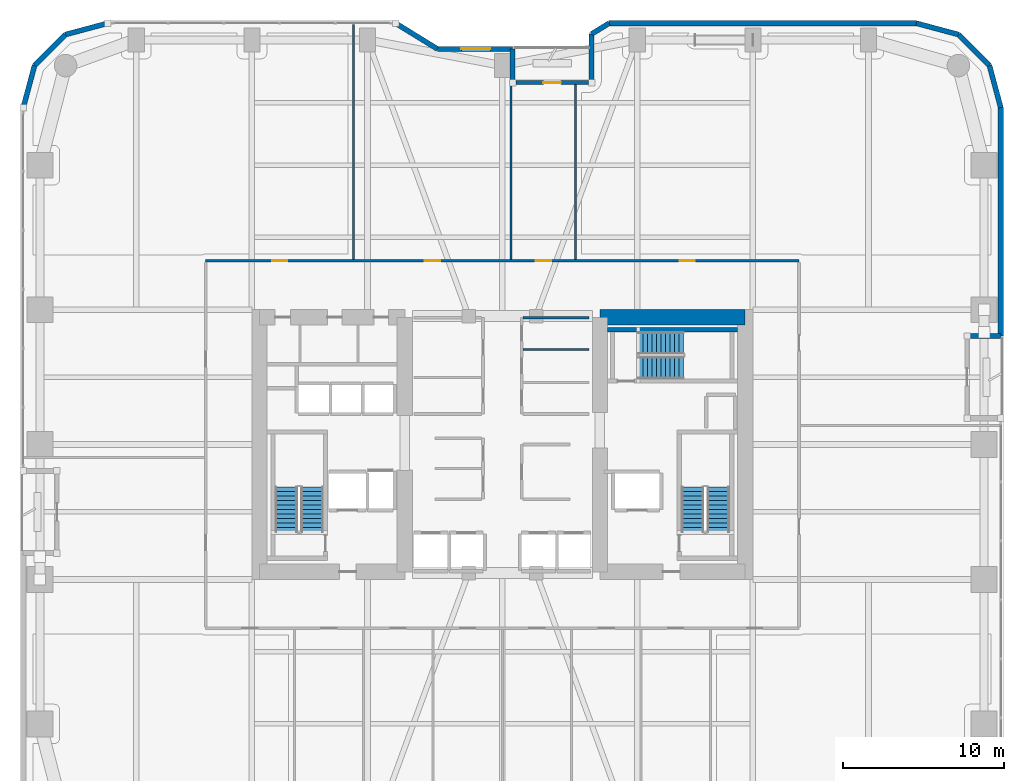
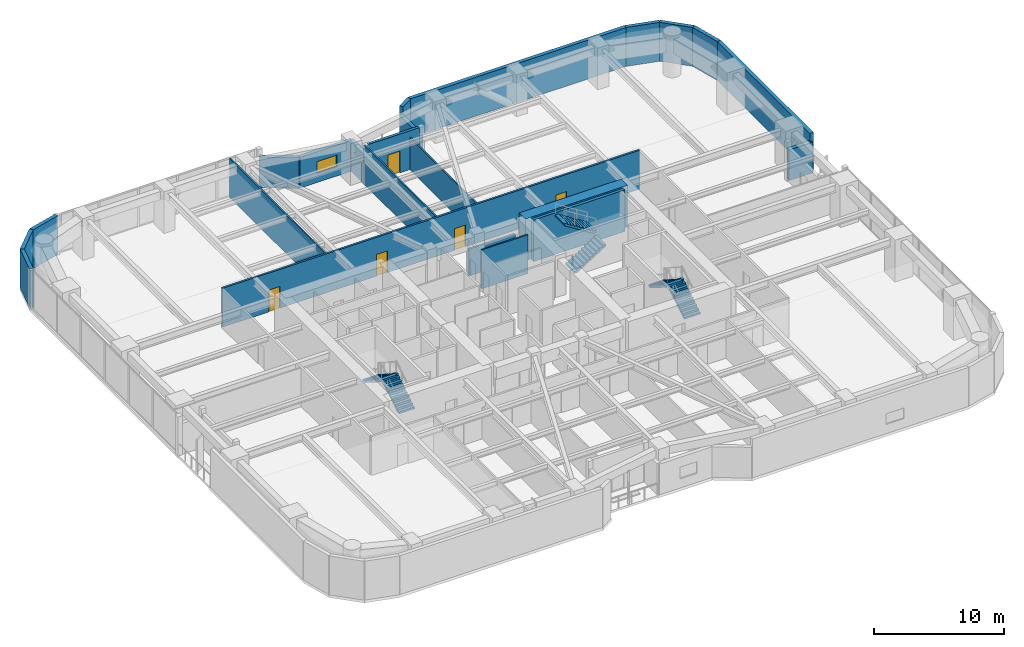
# One storey, part 25 of 28: 23 walls, 6 stair flights, 5 doors, 1 window, 6 openings, 3 elements without a shape of their own.
"""IFC4 building model written with IfcOpenShell, lengths in metres."""

from ifc_helpers import new_model, si_unit, direction, frame, frame_2d, origin, place, context, subcontext, project, spatial, polyline, rectangle, outline, extrude, material, layer, layer_set, type_object, element, fill, aggregate, save


model = new_model("IFC4")

# Units and contexts
model_context = context("Model", 3, precision=1e-05, world=origin(), true_north=direction((0.0, 1.0)))
body_context = subcontext(model_context, "Body", "Model", "MODEL_VIEW")
ifc_project = project(units=[si_unit("LENGTHUNIT", "METRE"), si_unit("AREAUNIT", "SQUARE_METRE"), si_unit("VOLUMEUNIT", "CUBIC_METRE"), si_unit("PLANEANGLEUNIT", "RADIAN"), si_unit("MASSUNIT", "GRAM", prefix="KILO")], contexts=[model_context])

# Site, building, storey
site_placement = place(None, origin())
site = spatial("IfcSite", under=ifc_project, at=site_placement, CompositionType="ELEMENT")
building_placement = place(site_placement, origin())
building = spatial("IfcBuilding", under=site, at=building_placement, Name="Kiyonajd Concourse Tower", CompositionType="ELEMENT")
storey_placement = place(building_placement, frame((0.0, 0.0, 64.5)))
storey = spatial("IfcBuildingStorey", under=building, at=storey_placement, Name="L17", CompositionType="ELEMENT", Elevation=64.5)

# Walls
ifc_material_1 = material(Name="Concrete C80/95", Category="concrete")
ifc_layer_1 = layer(ifc_material_1, 0.949951171875)
ifc_layer_set_1 = layer_set([ifc_layer_1], Name="Concrete C80/95")
wall_type_1 = type_object("IfcWallType", Name="WL-CORE-950", PredefinedType="SHEAR", material=ifc_layer_set_1)
wall_1_placement = place(storey_placement, frame((54.074951171875, 43.925048828125, 0.0), z_axis=(0.0, 0.0, 1.0), x_axis=(1.0, 0.0, 0.0)))
element("IfcWall", 1, at=wall_1_placement, inside=storey, type_object=wall_type_1, Name="L17 East Core North Shear Wall", PredefinedType="SHEAR", context=body_context, shape_type="SweptSolid", body=[
    extrude(rectangle(XDim=9.050048828125, YDim=0.949951171875, at=frame_2d((4.52490234375, 0.0))), origin(), (0.0, 0.0, 1.0), 3.89990234375),
])
ifc_material_2 = material(Name="Precast concrete C50/60", Category="concrete")
ifc_layer_2 = layer(ifc_material_2, 0.320068359375)
ifc_layer_set_2 = layer_set([ifc_layer_2], Name="Precast concrete C50/60")
wall_type_2 = type_object("IfcWallType", Name="WL-EXT-320", PredefinedType="SOLIDWALL", material=ifc_layer_set_2)
wall_2_placement = place(storey_placement, frame((18.159912109375, 56.97900390625, 0.0), z_axis=(0.0, 0.0, 1.0), x_axis=(0.25869736047, 0.965958423373, 0.0)))
element("IfcWall", 2, at=wall_2_placement, inside=storey, type_object=wall_type_2, Name="L17 Exterior Concrete Frame Wall 06", PredefinedType="SOLIDWALL", context=body_context, shape_type="SweptSolid", body=[
    extrude(rectangle(XDim=2.731201171875, YDim=0.320068359375, at=frame_2d((1.36572265625, 0.0))), origin(), (0.0, 0.0, 1.0), 3.639892578125),
])
wall_3_placement = place(storey_placement, frame((18.866455078125, 59.6171875, 0.0), z_axis=(0.0, 0.0, 1.0), x_axis=(0.707106781187, 0.707106781187, 0.0)))
element("IfcWall", 3, at=wall_3_placement, inside=storey, type_object=wall_type_2, Name="L17 Exterior Concrete Frame Wall 07", PredefinedType="SOLIDWALL", context=body_context, shape_type="SweptSolid", body=[
    extrude(rectangle(XDim=2.7099609375, YDim=0.320068359375, at=frame_2d((1.35498046875, 0.0))), origin(), (0.0, 0.0, 1.0), 3.639892578125),
])
wall_4_placement = place(storey_placement, frame((20.78271484375, 61.533447265625, 0.0), z_axis=(0.0, 0.0, 1.0), x_axis=(0.965964405026, 0.25867502435, 0.0)))
element("IfcWall", 4, at=wall_4_placement, inside=storey, type_object=wall_type_2, Name="L17 Exterior Concrete Frame Wall 08", PredefinedType="SOLIDWALL", context=body_context, shape_type="SweptSolid", body=[
    extrude(rectangle(XDim=2.7314453125, YDim=0.320068359375, at=frame_2d((1.36572265625, 0.0))), origin(), (0.0, 0.0, 1.0), 3.639892578125),
])
wall_5_placement = place(storey_placement, frame((41.354736328125, 62.239990234375, 0.0), z_axis=(0.0, 0.0, 1.0), x_axis=(0.851630857047, -0.524142044989, 0.0)))
element("IfcWall", 5, at=wall_5_placement, inside=storey, type_object=wall_type_2, Name="L17 Exterior Concrete Frame Wall 10", PredefinedType="SOLIDWALL", context=body_context, shape_type="SweptSolid", body=[
    extrude(rectangle(XDim=3.052734375, YDim=0.320068359375, at=frame_2d((1.5263671875, 0.0))), origin(), (0.0, 0.0, 1.0), 2.875),
])

# Wall, opening, window
wall_6_placement = place(storey_placement, frame((43.95458984375, 60.639892578125, 0.0), z_axis=(0.0, 0.0, 1.0), x_axis=(1.0, 0.0, 0.0)))
wall_6 = element("IfcWall", 6, at=wall_6_placement, inside=storey, type_object=wall_type_2, Name="L17 Exterior Concrete Frame Wall 11", PredefinedType="SOLIDWALL", context=body_context, shape_type="SweptSolid", body=[
    extrude(rectangle(XDim=4.685302734375, YDim=0.320068359375, at=frame_2d((2.3427734375, 0.0))), origin(), (0.0, 0.0, 1.0), 2.875),
])
opening_1_placement = place(wall_6_placement, frame((1.492919921875, 0.0, 0.85009765625)))
opening_1 = element("IfcOpeningElement", 7, at=opening_1_placement, cuts=wall_6, Name="Opening WN1", PredefinedType="OPENING", context=body_context, shape_type="SweptSolid", body=[
    extrude(rectangle(XDim=1.800048828125, YDim=1.10009765625, at=frame_2d((0.89990234375, 0.550048828125))), frame((0.0, 0.169921875, 0.0), z_axis=(0.0, -1.0, 0.0), x_axis=(1.0, 0.0, 0.0)), (0.0, 0.0, 1.0), 0.340087890625),
])
ifc_material_3 = material(Name="Double Low-E Insulated Glass", Category="glass")
window_type = type_object("IfcWindowType", Name="WN-VIS-1800x1100", PartitioningType="SINGLE_PANEL", PredefinedType="WINDOW", material=ifc_material_3)
window_placement = place(opening_1_placement, origin())
window = element("IfcWindow", 8, at=window_placement, inside=storey, type_object=window_type, Name="L17 Modular Facade Vision Window 11", OverallHeight=1.10009765625, OverallWidth=1.800048828125, PartitioningType="SINGLE_PANEL", PredefinedType="WINDOW", context=body_context, shape_type="SweptSolid", body=[
    extrude(rectangle(XDim=1.800048828125, YDim=1.10009765625, at=frame_2d((0.89990234375, 0.550048828125))), frame((0.0, 0.030029296875, 0.0), z_axis=(0.0, -1.0, 0.0), x_axis=(1.0, 0.0, 0.0)), (0.0, 0.0, 1.0), 0.06005859375),
])
fill(opening_1, window)

# Walls
wall_7_placement = place(storey_placement, frame((48.639892578125, 60.639892578125, 0.0), z_axis=(0.0, 0.0, 1.0), x_axis=(0.0, -1.0, 0.0)))
element("IfcWall", 9, at=wall_7_placement, inside=storey, type_object=wall_type_2, Name="L17 Exterior Concrete Frame Wall 12", PredefinedType="SOLIDWALL", context=body_context, shape_type="SweptSolid", body=[
    extrude(rectangle(XDim=2.099853515625, YDim=0.320068359375, at=frame_2d((1.0498046875, 0.0))), origin(), (0.0, 0.0, 1.0), 2.875),
])
wall_8_placement = place(storey_placement, frame((53.56005859375, 58.5400390625, 0.0), z_axis=(0.0, 0.0, 1.0), x_axis=(0.0, 1.0, 0.0)))
element("IfcWall", 10, at=wall_8_placement, inside=storey, type_object=wall_type_2, Name="L17 Exterior Concrete Frame Wall 14", PredefinedType="SOLIDWALL", context=body_context, shape_type="SweptSolid", body=[
    extrude(rectangle(XDim=3.032470703125, YDim=0.320068359375, at=frame_2d((1.51611328125, 0.0))), origin(), (0.0, 0.0, 1.0), 2.875),
])
wall_9_placement = place(storey_placement, frame((53.56005859375, 61.572509765625, 0.0), z_axis=(0.0, 0.0, 1.0), x_axis=(0.851776724646, 0.523904964045, 0.0)))
element("IfcWall", 11, at=wall_9_placement, inside=storey, type_object=wall_type_2, Name="L17 Exterior Concrete Frame Wall 15", PredefinedType="SOLIDWALL", context=body_context, shape_type="SweptSolid", body=[
    extrude(rectangle(XDim=1.274169921875, YDim=0.320068359375, at=frame_2d((0.63720703125, 0.0))), origin(), (0.0, 0.0, 1.0), 3.639892578125),
])
wall_10_placement = place(storey_placement, frame((54.645263671875, 62.239990234375, 0.0), z_axis=(0.0, 0.0, 1.0), x_axis=(1.0, 0.0, 0.0)))
element("IfcWall", 12, at=wall_10_placement, inside=storey, type_object=wall_type_2, Name="L17 Exterior Concrete Frame Wall 16", PredefinedType="SOLIDWALL", context=body_context, shape_type="SweptSolid", body=[
    extrude(rectangle(XDim=19.133544921875, YDim=0.320068359375, at=frame_2d((9.56689453125, 0.0))), origin(), (0.0, 0.0, 1.0), 3.639892578125),
])
wall_11_placement = place(storey_placement, frame((73.77880859375, 62.239990234375, 0.0), z_axis=(0.0, 0.0, 1.0), x_axis=(0.965964405026, -0.25867502435, 0.0)))
element("IfcWall", 13, at=wall_11_placement, inside=storey, type_object=wall_type_2, Name="L17 Exterior Concrete Frame Wall 17", PredefinedType="SOLIDWALL", context=body_context, shape_type="SweptSolid", body=[
    extrude(rectangle(XDim=2.7314453125, YDim=0.320068359375, at=frame_2d((1.36572265625, 0.0))), origin(), (0.0, 0.0, 1.0), 3.639892578125),
])
wall_12_placement = place(storey_placement, frame((76.417236328125, 61.533447265625, 0.0), z_axis=(0.0, 0.0, 1.0), x_axis=(0.707106781187, -0.707106781187, 0.0)))
element("IfcWall", 14, at=wall_12_placement, inside=storey, type_object=wall_type_2, Name="L17 Exterior Concrete Frame Wall 18", PredefinedType="SOLIDWALL", context=body_context, shape_type="SweptSolid", body=[
    extrude(rectangle(XDim=2.7099609375, YDim=0.320068359375, at=frame_2d((1.35498046875, 0.0))), origin(), (0.0, 0.0, 1.0), 3.639892578125),
])
wall_13_placement = place(storey_placement, frame((78.33349609375, 59.6171875, 0.0), z_axis=(0.0, 0.0, 1.0), x_axis=(0.25869736047, -0.965958423373, 0.0)))
element("IfcWall", 15, at=wall_13_placement, inside=storey, type_object=wall_type_2, Name="L17 Exterior Concrete Frame Wall 19", PredefinedType="SOLIDWALL", context=body_context, shape_type="SweptSolid", body=[
    extrude(rectangle(XDim=2.731201171875, YDim=0.320068359375, at=frame_2d((1.36572265625, 0.0))), origin(), (0.0, 0.0, 1.0), 3.639892578125),
])
wall_14_placement = place(storey_placement, frame((79.0400390625, 56.97900390625, 0.0), z_axis=(0.0, 0.0, 1.0), x_axis=(0.0, -1.0, 0.0)))
element("IfcWall", 16, at=wall_14_placement, inside=storey, type_object=wall_type_2, Name="L17 Exterior Concrete Frame Wall 20", PredefinedType="SOLIDWALL", context=body_context, shape_type="SweptSolid", body=[
    extrude(rectangle(XDim=14.218994140625, YDim=0.320068359375, at=frame_2d((7.109375, 0.0))), origin(), (0.0, 0.0, 1.0), 3.639892578125),
])
wall_15_placement = place(storey_placement, frame((79.0400390625, 42.760009765625, 0.0), z_axis=(0.0, 0.0, 1.0), x_axis=(-1.0, 0.0, 0.0)))
element("IfcWall", 17, at=wall_15_placement, inside=storey, type_object=wall_type_2, Name="L17 Exterior Concrete Frame Wall 21", PredefinedType="SOLIDWALL", context=body_context, shape_type="SweptSolid", body=[
    extrude(rectangle(XDim=2.10009765625, YDim=0.320068359375, at=frame_2d((1.050048828125, 0.0))), origin(), (0.0, 0.0, 1.0), 2.875),
])

# Wall, opening, door
ifc_layer_3 = layer(ifc_material_2, 0.239990234375)
ifc_layer_set_3 = layer_set([ifc_layer_3], Name="Precast concrete C50/60")
wall_type_3 = type_object("IfcWallType", Name="WL-LOG-240", PredefinedType="SOLIDWALL", material=ifc_layer_set_3)
wall_16_placement = place(storey_placement, frame((48.8349609375, 58.5400390625, 0.0), z_axis=(0.0, 0.0, 1.0), x_axis=(1.0, 0.0, 0.0)))
wall_16 = element("IfcWall", 18, at=wall_16_placement, inside=storey, type_object=wall_type_3, Name="L17 Recessed Loggia Thermal Wall LOG-N", PredefinedType="SOLIDWALL", context=body_context, shape_type="SweptSolid", body=[
    extrude(rectangle(XDim=4.530029296875, YDim=0.239990234375, at=frame_2d((2.26513671875, 0.0))), origin(), (0.0, 0.0, 1.0), 3.639892578125),
])
opening_2_placement = place(wall_16_placement, frame((1.715087890625, 0.0, 0.0)))
opening_2 = element("IfcOpeningElement", 19, at=opening_2_placement, cuts=wall_16, Name="Opening DL2", PredefinedType="OPENING", context=body_context, shape_type="SweptSolid", body=[
    extrude(rectangle(XDim=1.10009765625, YDim=2.0400390625, at=frame_2d((0.550048828125, 1.02001953125))), frame((0.0, 0.1298828125, 0.0), z_axis=(0.0, -1.0, 0.0), x_axis=(1.0, 0.0, 0.0)), (0.0, 0.0, 1.0), 0.260009765625),
])
ifc_material_4 = material(Name="Thermally Broken Anodised Aluminium", Category="aluminium")
door_type_1 = type_object("IfcDoorType", Name="DR-LOG-1100", OperationType="NOTDEFINED", PredefinedType="DOOR", material=ifc_material_4)
door_1_placement = place(opening_2_placement, origin())
door_1 = element("IfcDoor", 20, at=door_1_placement, inside=storey, type_object=door_type_1, Name="L17 Engawa Loggia Access Door LOG-N", OperationType="SINGLE_SWING_RIGHT", OverallHeight=2.0400390625, OverallWidth=1.10009765625, PredefinedType="DOOR", context=body_context, shape_type="SweptSolid", body=[
    extrude(rectangle(XDim=1.10009765625, YDim=2.0400390625, at=frame_2d((0.550048828125, 1.02001953125))), frame((0.0, 0.02490234375, 0.0), z_axis=(0.0, -1.0, 0.0), x_axis=(1.0, 0.0, 0.0)), (0.0, 0.0, 1.0), 0.050048828125),
])
fill(opening_2, door_1)

# Walls
ifc_material_5 = material(Name="Gypsum Board on Cold-Formed Steel Stud", Category="steel")
ifc_layer_4 = layer(ifc_material_5, 0.125)
ifc_layer_set_4 = layer_set([ifc_layer_4], Name="Gypsum Board on Cold-Formed Steel Stud")
wall_type_4 = type_object("IfcWallType", Name="WL-PART-125", PredefinedType="PARTITIONING", material=ifc_layer_set_4)
wall_17_placement = place(storey_placement, frame((49.287109375, 41.919921875, 0.0), z_axis=(0.0, 0.0, 1.0), x_axis=(1.0, 0.0, 0.0)))
element("IfcWall", 21, at=wall_17_placement, inside=storey, type_object=wall_type_4, Name="L17 Interior Partition Wall", PredefinedType="PARTITIONING", context=body_context, shape_type="SweptSolid", body=[
    extrude(rectangle(XDim=4.11279296875, YDim=0.125, at=frame_2d((2.056396484375, 0.0))), origin(), (0.0, 0.0, 1.0), 3.639892578125),
])
wall_18_placement = place(storey_placement, frame((38.739990234375, 47.527099609375, 0.0), z_axis=(0.0, 0.0, 1.0), x_axis=(0.0, 1.0, 0.0)))
element("IfcWall", 22, at=wall_18_placement, inside=storey, type_object=wall_type_4, Name="L17 Interior Partition Wall", PredefinedType="PARTITIONING", context=body_context, shape_type="SweptSolid", body=[
    extrude(rectangle(XDim=14.6279296875, YDim=0.125, at=frame_2d((7.31396484375, 0.0))), origin(), (0.0, 0.0, 1.0), 3.639892578125),
])
wall_19_placement = place(storey_placement, frame((48.550048828125, 47.527099609375, 0.0), z_axis=(0.0, 0.0, 1.0), x_axis=(0.0, 1.0, 0.0)))
element("IfcWall", 23, at=wall_19_placement, inside=storey, type_object=wall_type_4, Name="L17 Interior Partition Wall", PredefinedType="PARTITIONING", context=body_context, shape_type="SweptSolid", body=[
    extrude(rectangle(XDim=11.012939453125, YDim=0.125, at=frame_2d((5.50634765625, 0.0))), origin(), (0.0, 0.0, 1.0), 3.639892578125),
])
wall_20_placement = place(storey_placement, frame((52.56005859375, 47.527099609375, 0.0), z_axis=(0.0, 0.0, 1.0), x_axis=(0.0, 1.0, 0.0)))
element("IfcWall", 24, at=wall_20_placement, inside=storey, type_object=wall_type_4, Name="L17 Interior Partition Wall", PredefinedType="PARTITIONING", context=body_context, shape_type="SweptSolid", body=[
    extrude(rectangle(XDim=10.89794921875, YDim=0.125, at=frame_2d((5.448974609375, 0.0))), origin(), (0.0, 0.0, 1.0), 3.0029296875),
])
ifc_layer_5 = layer(ifc_material_5, 0.169921875)
ifc_layer_set_5 = layer_set([ifc_layer_5], Name="Gypsum Board on Cold-Formed Steel Stud")
wall_type_5 = type_object("IfcWallType", Name="WL-SMK-170", PredefinedType="PARTITIONING", material=ifc_layer_set_5)
wall_21_placement = place(storey_placement, frame((49.287109375, 43.89990234375, 0.0), z_axis=(0.0, 0.0, 1.0), x_axis=(1.0, 0.0, 0.0)))
element("IfcWall", 25, at=wall_21_placement, inside=storey, type_object=wall_type_5, Name="L17 Interior Partition Wall", PredefinedType="PARTITIONING", context=body_context, shape_type="SweptSolid", body=[
    extrude(rectangle(XDim=4.11279296875, YDim=0.169921875, at=frame_2d((2.056396484375, 0.0))), origin(), (0.0, 0.0, 1.0), 2.52490234375),
])

# Wall, openings, doors
wall_22_placement = place(storey_placement, frame((29.52490234375, 47.43994140625, 0.0), z_axis=(0.0, 0.0, 1.0), x_axis=(1.0, 0.0, 0.0)))
wall_22 = element("IfcWall", 26, at=wall_22_placement, inside=storey, type_object=wall_type_5, Name="L17 Interior Partition Wall", PredefinedType="PARTITIONING", context=body_context, shape_type="SweptSolid", body=[
    extrude(rectangle(XDim=36.9501953125, YDim=0.169921875, at=frame_2d((18.47509765625, 0.0))), origin(), (0.0, 0.0, 1.0), 3.639892578125),
])
opening_3_placement = place(wall_22_placement, frame((4.133056640625, 0.0, 0.0)))
opening_3 = element("IfcOpeningElement", 27, at=opening_3_placement, cuts=wall_22, Name="Opening DI1", PredefinedType="OPENING", context=body_context, shape_type="SweptSolid", body=[
    extrude(rectangle(XDim=0.949951171875, YDim=2.0400390625, at=frame_2d((0.47509765625, 1.02001953125))), frame((0.0, 0.094970703125, 0.0), z_axis=(0.0, -1.0, 0.0), x_axis=(1.0, 0.0, 0.0)), (0.0, 0.0, 1.0), 0.18994140625),
])
opening_4_placement = place(wall_22_placement, frame((13.64501953125, 0.0, 0.0)))
opening_4 = element("IfcOpeningElement", 28, at=opening_4_placement, cuts=wall_22, Name="Opening DI1", PredefinedType="OPENING", context=body_context, shape_type="SweptSolid", body=[
    extrude(rectangle(XDim=0.949951171875, YDim=2.0400390625, at=frame_2d((0.47509765625, 1.02001953125))), frame((0.0, 0.094970703125, 0.0), z_axis=(0.0, -1.0, 0.0), x_axis=(1.0, 0.0, 0.0)), (0.0, 0.0, 1.0), 0.18994140625),
])
opening_5_placement = place(wall_22_placement, frame((20.554931640625, 0.0, 0.0)))
opening_5 = element("IfcOpeningElement", 29, at=opening_5_placement, cuts=wall_22, Name="Opening DI1", PredefinedType="OPENING", context=body_context, shape_type="SweptSolid", body=[
    extrude(rectangle(XDim=0.949951171875, YDim=2.0400390625, at=frame_2d((0.47509765625, 1.02001953125))), frame((0.0, 0.094970703125, 0.0), z_axis=(0.0, -1.0, 0.0), x_axis=(1.0, 0.0, 0.0)), (0.0, 0.0, 1.0), 0.18994140625),
])
opening_6_placement = place(wall_22_placement, frame((29.51708984375, 0.0, 0.0)))
opening_6 = element("IfcOpeningElement", 30, at=opening_6_placement, cuts=wall_22, Name="Opening DI1", PredefinedType="OPENING", context=body_context, shape_type="SweptSolid", body=[
    extrude(rectangle(XDim=0.949951171875, YDim=2.0400390625, at=frame_2d((0.47509765625, 1.02001953125))), frame((0.0, 0.094970703125, 0.0), z_axis=(0.0, -1.0, 0.0), x_axis=(1.0, 0.0, 0.0)), (0.0, 0.0, 1.0), 0.18994140625),
])
ifc_material_6 = material(Name="Natural Oak Acoustic Timber Veneer", Category="wood")
door_type_2 = type_object("IfcDoorType", Name="DR-INT-950", OperationType="NOTDEFINED", PredefinedType="DOOR", material=ifc_material_6)
door_2_placement = place(opening_3_placement, origin())
door_2 = element("IfcDoor", 31, at=door_2_placement, inside=storey, type_object=door_type_2, Name="L17 Interior Door", OperationType="SINGLE_SWING_LEFT", OverallHeight=2.0400390625, OverallWidth=0.949951171875, PredefinedType="DOOR", context=body_context, shape_type="SweptSolid", body=[
    extrude(rectangle(XDim=0.949951171875, YDim=2.0400390625, at=frame_2d((0.47509765625, 1.02001953125))), frame((0.0, 0.02490234375, 0.0), z_axis=(0.0, -1.0, 0.0), x_axis=(1.0, 0.0, 0.0)), (0.0, 0.0, 1.0), 0.050048828125),
])
fill(opening_3, door_2)
door_3_placement = place(opening_4_placement, origin())
door_3 = element("IfcDoor", 32, at=door_3_placement, inside=storey, type_object=door_type_2, Name="L17 Interior Door", OperationType="SINGLE_SWING_RIGHT", OverallHeight=2.0400390625, OverallWidth=0.949951171875, PredefinedType="DOOR", context=body_context, shape_type="SweptSolid", body=[
    extrude(rectangle(XDim=0.949951171875, YDim=2.0400390625, at=frame_2d((0.47509765625, 1.02001953125))), frame((0.0, 0.02490234375, 0.0), z_axis=(0.0, -1.0, 0.0), x_axis=(1.0, 0.0, 0.0)), (0.0, 0.0, 1.0), 0.050048828125),
])
fill(opening_4, door_3)
door_4_placement = place(opening_5_placement, origin())
door_4 = element("IfcDoor", 33, at=door_4_placement, inside=storey, type_object=door_type_2, Name="L17 Interior Door", OperationType="SINGLE_SWING_LEFT", OverallHeight=2.0400390625, OverallWidth=0.949951171875, PredefinedType="DOOR", context=body_context, shape_type="SweptSolid", body=[
    extrude(rectangle(XDim=0.949951171875, YDim=2.0400390625, at=frame_2d((0.47509765625, 1.02001953125))), frame((0.0, 0.02490234375, 0.0), z_axis=(0.0, -1.0, 0.0), x_axis=(1.0, 0.0, 0.0)), (0.0, 0.0, 1.0), 0.050048828125),
])
fill(opening_5, door_4)
door_5_placement = place(opening_6_placement, origin())
door_5 = element("IfcDoor", 34, at=door_5_placement, inside=storey, type_object=door_type_2, Name="L17 Interior Door", OperationType="SINGLE_SWING_RIGHT", OverallHeight=2.0400390625, OverallWidth=0.949951171875, PredefinedType="DOOR", context=body_context, shape_type="SweptSolid", body=[
    extrude(rectangle(XDim=0.949951171875, YDim=2.0400390625, at=frame_2d((0.47509765625, 1.02001953125))), frame((0.0, 0.02490234375, 0.0), z_axis=(0.0, -1.0, 0.0), x_axis=(1.0, 0.0, 0.0)), (0.0, 0.0, 1.0), 0.050048828125),
])
fill(opening_6, door_5)

# Wall
ifc_material_7 = material(Name="Concrete C50/60", Category="concrete")
ifc_layer_6 = layer(ifc_material_7, 0.260009765625)
ifc_layer_set_6 = layer_set([ifc_layer_6], Name="Concrete C50/60")
wall_type_6 = type_object("IfcWallType", Name="WL-STAIR-260", PredefinedType="SHEAR", material=ifc_layer_set_6)
wall_23_placement = place(storey_placement, frame((54.550048828125, 43.14990234375, 0.0), z_axis=(0.0, 0.0, 1.0), x_axis=(1.0, 0.0, 0.0)))
element("IfcWall", 35, at=wall_23_placement, inside=storey, type_object=wall_type_6, Name="L17 Stair ST3 Structural North Wall", PredefinedType="SHEAR", context=body_context, shape_type="SweptSolid", body=[
    extrude(rectangle(XDim=8.099853515625, YDim=0.260009765625, at=frame_2d((4.0498046875, 0.0))), origin(), (0.0, 0.0, 1.0), 3.89990234375),
])

# Stair, stair flights
ifc_material_8 = material(Name="Concrete C40/50", Category="concrete")
stair_type = type_object("IfcStairType", Name="ST-DLG-22R", PredefinedType="HALF_TURN_STAIR", material=ifc_material_8)
stair_1_placement = place(storey_placement, origin())
stair_1 = element("IfcStair", 36, at=stair_1_placement, inside=storey, type_object=stair_type, Name="L17 Protected Exit Stair ST1", PredefinedType="HALF_TURN_STAIR")
stair_flight_type = type_object("IfcStairFlightType", Name="SF-STR-22R", PredefinedType="STRAIGHT", material=ifc_material_8)
stair_flight_1_placement = place(storey_placement, frame((36.14990234375, 30.550048828125, 0.0), z_axis=(0.0, 0.0, 1.0), x_axis=(0.0, 1.0, 0.0)))
stair_flight_1 = element("IfcStairFlight", 37, at=stair_flight_1_placement, type_object=stair_flight_type, Name="ST1 flight 1", NumberOfRisers=11, NumberOfTreads=10, PredefinedType="STRAIGHT", RiserHeight=0.177272727, TreadLength=0.28, context=body_context, shape_type="SweptSolid", body=[
    extrude(outline(polyline([(0.0, 0.0), (0.0, 0.17724609375), (0.280029296875, 0.17724609375), (0.280029296875, 0.3544921875), (0.56005859375, 0.3544921875), (0.56005859375, 0.53173828125), (0.840087890625, 0.53173828125), (0.840087890625, 0.708984375), (1.1201171875, 0.708984375), (1.1201171875, 0.886474609375), (1.39990234375, 0.886474609375), (1.39990234375, 1.063720703125), (1.679931640625, 1.063720703125), (1.679931640625, 1.240966796875), (1.9599609375, 1.240966796875), (1.9599609375, 1.418212890625), (2.239990234375, 1.418212890625), (2.239990234375, 1.595458984375), (2.52001953125, 1.595458984375), (2.52001953125, 1.772705078125), (2.800048828125, 1.772705078125), (2.800048828125, 1.949951171875), (2.800048828125, 1.59521484375), (0.2802734375, 0.0), (0.0, 0.0)])), frame((0.0, 0.699951171875, 0.0), z_axis=(0.0, -1.0, 0.0), x_axis=(1.0, 0.0, 0.0)), (0.0, 0.0, 1.0), 1.39990234375),
])
stair_flight_2_placement = place(storey_placement, frame((34.550048828125, 33.35009765625, 1.949951171875), z_axis=(0.0, 0.0, 1.0), x_axis=(0.0, -1.0, 0.0)))
stair_flight_2 = element("IfcStairFlight", 38, at=stair_flight_2_placement, type_object=stair_flight_type, Name="ST1 flight 2", NumberOfRisers=11, NumberOfTreads=10, PredefinedType="STRAIGHT", RiserHeight=0.177272727, TreadLength=0.28, context=body_context, shape_type="SweptSolid", body=[
    extrude(outline(polyline([(0.0, 0.0), (0.0, 0.17724609375), (0.280029296875, 0.17724609375), (0.280029296875, 0.3544921875), (0.56005859375, 0.3544921875), (0.56005859375, 0.53173828125), (0.840087890625, 0.53173828125), (0.840087890625, 0.708984375), (1.1201171875, 0.708984375), (1.1201171875, 0.886474609375), (1.39990234375, 0.886474609375), (1.39990234375, 1.063720703125), (1.679931640625, 1.063720703125), (1.679931640625, 1.240966796875), (1.9599609375, 1.240966796875), (1.9599609375, 1.418212890625), (2.239990234375, 1.418212890625), (2.239990234375, 1.595458984375), (2.52001953125, 1.595458984375), (2.52001953125, 1.772705078125), (2.800048828125, 1.772705078125), (2.800048828125, 1.949951171875), (2.800048828125, 1.59521484375), (0.2802734375, 0.0), (0.0, 0.0)])), frame((0.0, 0.699951171875, 0.0), z_axis=(0.0, -1.0, 0.0), x_axis=(1.0, 0.0, 0.0)), (0.0, 0.0, 1.0), 1.39990234375),
])
aggregate(stair_1, [stair_flight_1, stair_flight_2])

stair_2_placement = place(storey_placement, origin())
stair_2 = element("IfcStair", 39, at=stair_2_placement, inside=storey, type_object=stair_type, Name="L17 Protected Exit Stair ST2", PredefinedType="HALF_TURN_STAIR")
stair_flight_3_placement = place(storey_placement, frame((61.449951171875, 30.550048828125, 0.0), z_axis=(0.0, 0.0, 1.0), x_axis=(0.0, 1.0, 0.0)))
stair_flight_3 = element("IfcStairFlight", 40, at=stair_flight_3_placement, type_object=stair_flight_type, Name="ST2 flight 1", NumberOfRisers=11, NumberOfTreads=10, PredefinedType="STRAIGHT", RiserHeight=0.177272727, TreadLength=0.28, context=body_context, shape_type="SweptSolid", body=[
    extrude(outline(polyline([(0.0, 0.0), (0.0, 0.17724609375), (0.280029296875, 0.17724609375), (0.280029296875, 0.3544921875), (0.56005859375, 0.3544921875), (0.56005859375, 0.53173828125), (0.840087890625, 0.53173828125), (0.840087890625, 0.708984375), (1.1201171875, 0.708984375), (1.1201171875, 0.886474609375), (1.39990234375, 0.886474609375), (1.39990234375, 1.063720703125), (1.679931640625, 1.063720703125), (1.679931640625, 1.240966796875), (1.9599609375, 1.240966796875), (1.9599609375, 1.418212890625), (2.239990234375, 1.418212890625), (2.239990234375, 1.595458984375), (2.52001953125, 1.595458984375), (2.52001953125, 1.772705078125), (2.800048828125, 1.772705078125), (2.800048828125, 1.949951171875), (2.800048828125, 1.59521484375), (0.2802734375, 0.0), (0.0, 0.0)])), frame((0.0, 0.699951171875, 0.0), z_axis=(0.0, -1.0, 0.0), x_axis=(1.0, 0.0, 0.0)), (0.0, 0.0, 1.0), 1.39990234375),
])
stair_flight_4_placement = place(storey_placement, frame((59.85009765625, 33.35009765625, 1.949951171875), z_axis=(0.0, 0.0, 1.0), x_axis=(0.0, -1.0, 0.0)))
stair_flight_4 = element("IfcStairFlight", 41, at=stair_flight_4_placement, type_object=stair_flight_type, Name="ST2 flight 2", NumberOfRisers=11, NumberOfTreads=10, PredefinedType="STRAIGHT", RiserHeight=0.177272727, TreadLength=0.28, context=body_context, shape_type="SweptSolid", body=[
    extrude(outline(polyline([(0.0, 0.0), (0.0, 0.17724609375), (0.280029296875, 0.17724609375), (0.280029296875, 0.3544921875), (0.56005859375, 0.3544921875), (0.56005859375, 0.53173828125), (0.840087890625, 0.53173828125), (0.840087890625, 0.708984375), (1.1201171875, 0.708984375), (1.1201171875, 0.886474609375), (1.39990234375, 0.886474609375), (1.39990234375, 1.063720703125), (1.679931640625, 1.063720703125), (1.679931640625, 1.240966796875), (1.9599609375, 1.240966796875), (1.9599609375, 1.418212890625), (2.239990234375, 1.418212890625), (2.239990234375, 1.595458984375), (2.52001953125, 1.595458984375), (2.52001953125, 1.772705078125), (2.800048828125, 1.772705078125), (2.800048828125, 1.949951171875), (2.800048828125, 1.59521484375), (0.2802734375, 0.0), (0.0, 0.0)])), frame((0.0, 0.699951171875, 0.0), z_axis=(0.0, -1.0, 0.0), x_axis=(1.0, 0.0, 0.0)), (0.0, 0.0, 1.0), 1.39990234375),
])
aggregate(stair_2, [stair_flight_3, stair_flight_4])

stair_3_placement = place(storey_placement, origin())
stair_3 = element("IfcStair", 42, at=stair_3_placement, inside=storey, type_object=stair_type, Name="L17 Protected Exit Stair ST3", PredefinedType="HALF_TURN_STAIR")
stair_flight_5_placement = place(storey_placement, frame((56.47998046875, 40.780029296875, 0.0), z_axis=(0.0, 0.0, 1.0), x_axis=(1.0, 0.0, 0.0)))
stair_flight_5 = element("IfcStairFlight", 43, at=stair_flight_5_placement, type_object=stair_flight_type, Name="ST3 flight 1", NumberOfRisers=11, NumberOfTreads=10, PredefinedType="STRAIGHT", RiserHeight=0.177272727, TreadLength=0.28, context=body_context, shape_type="SweptSolid", body=[
    extrude(outline(polyline([(0.0, 0.0), (0.0, 0.17724609375), (0.280029296875, 0.17724609375), (0.280029296875, 0.3544921875), (0.56005859375, 0.3544921875), (0.56005859375, 0.53173828125), (0.840087890625, 0.53173828125), (0.840087890625, 0.708984375), (1.1201171875, 0.708984375), (1.1201171875, 0.886474609375), (1.39990234375, 0.886474609375), (1.39990234375, 1.063720703125), (1.679931640625, 1.063720703125), (1.679931640625, 1.240966796875), (1.9599609375, 1.240966796875), (1.9599609375, 1.418212890625), (2.239990234375, 1.418212890625), (2.239990234375, 1.595458984375), (2.52001953125, 1.595458984375), (2.52001953125, 1.772705078125), (2.800048828125, 1.772705078125), (2.800048828125, 1.949951171875), (2.800048828125, 1.59521484375), (0.2802734375, 0.0), (0.0, 0.0)])), frame((0.0, 0.699951171875, 0.0), z_axis=(0.0, -1.0, 0.0), x_axis=(1.0, 0.0, 0.0)), (0.0, 0.0, 1.0), 1.39990234375),
])
stair_flight_6_placement = place(storey_placement, frame((59.280029296875, 42.320068359375, 1.949951171875), z_axis=(0.0, 0.0, 1.0), x_axis=(-1.0, 0.0, 0.0)))
stair_flight_6 = element("IfcStairFlight", 44, at=stair_flight_6_placement, type_object=stair_flight_type, Name="ST3 flight 2", NumberOfRisers=11, NumberOfTreads=10, PredefinedType="STRAIGHT", RiserHeight=0.177272727, TreadLength=0.28, context=body_context, shape_type="SweptSolid", body=[
    extrude(outline(polyline([(0.0, 0.0), (0.0, 0.17724609375), (0.280029296875, 0.17724609375), (0.280029296875, 0.3544921875), (0.56005859375, 0.3544921875), (0.56005859375, 0.53173828125), (0.840087890625, 0.53173828125), (0.840087890625, 0.708984375), (1.1201171875, 0.708984375), (1.1201171875, 0.886474609375), (1.39990234375, 0.886474609375), (1.39990234375, 1.063720703125), (1.679931640625, 1.063720703125), (1.679931640625, 1.240966796875), (1.9599609375, 1.240966796875), (1.9599609375, 1.418212890625), (2.239990234375, 1.418212890625), (2.239990234375, 1.595458984375), (2.52001953125, 1.595458984375), (2.52001953125, 1.772705078125), (2.800048828125, 1.772705078125), (2.800048828125, 1.949951171875), (2.800048828125, 1.59521484375), (0.2802734375, 0.0), (0.0, 0.0)])), frame((0.0, 0.699951171875, 0.0), z_axis=(0.0, -1.0, 0.0), x_axis=(1.0, 0.0, 0.0)), (0.0, 0.0, 1.0), 1.39990234375),
])
aggregate(stair_3, [stair_flight_5, stair_flight_6])

save(model, "model.ifc")
